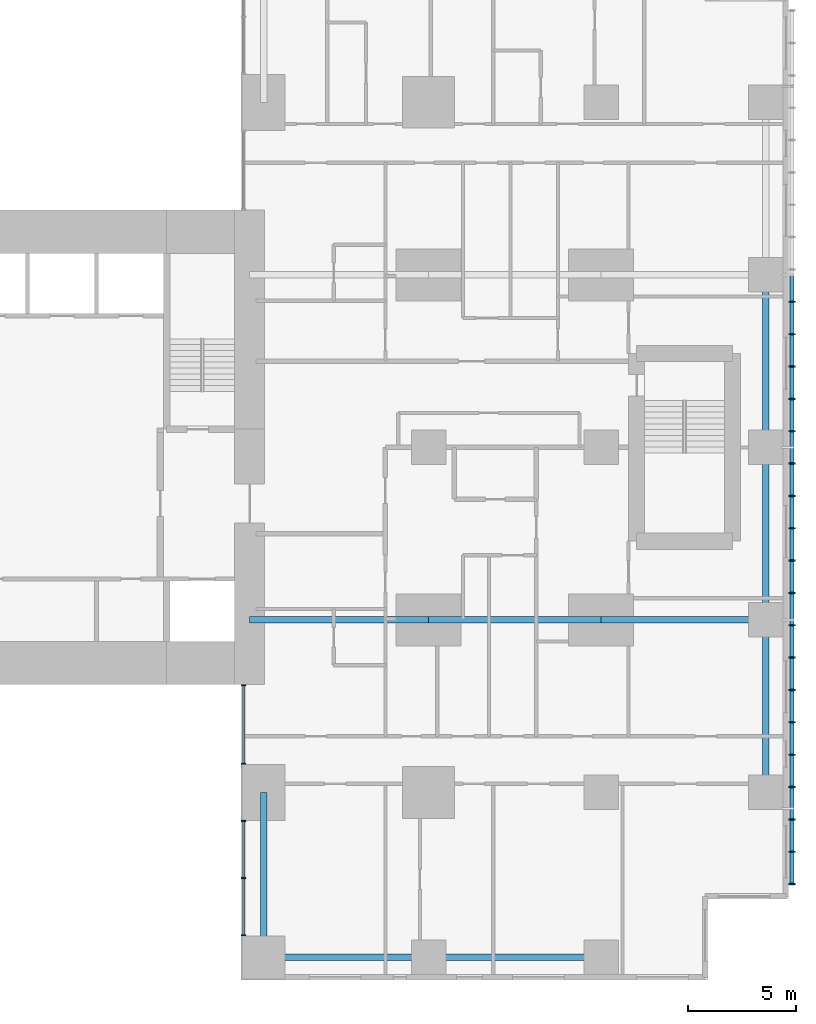
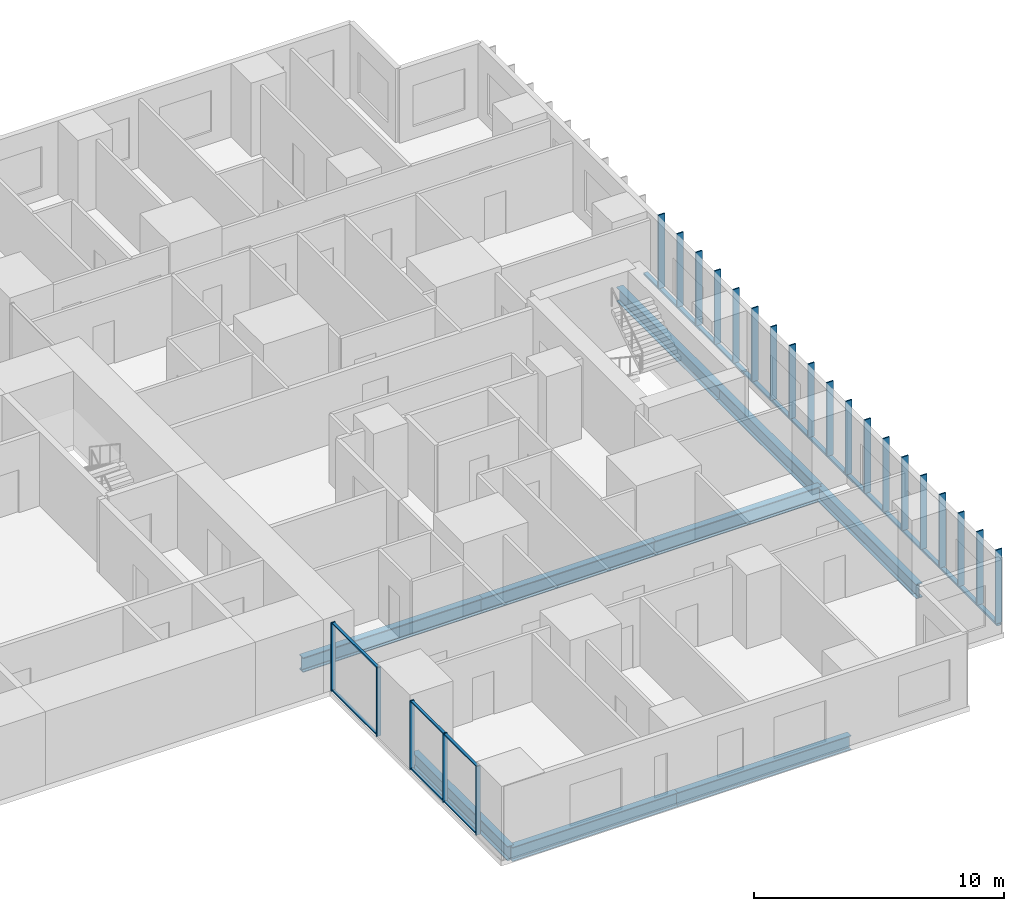
# One storey, part 2 of 12: 33 members, 9 beams, 2 elements without a shape of their own.
"""IFC4 building model written with IfcOpenShell, lengths in metres."""

from ifc_helpers import new_model, si_unit, direction, frame, origin, origin_2d, place, context, subcontext, project, spatial, rectangle, hollow_rectangle, i_section, extrude, material, layer, layer_set, material_profile, profile_set, type_object, element, aggregate, save


model = new_model("IFC4")

# Units and contexts
model_context = context("Model", 3, precision=1e-05, world=origin(), true_north=direction((0.0, 1.0)))
body_context = subcontext(model_context, "Body", "Model", "MODEL_VIEW")
ifc_project = project(units=[si_unit("LENGTHUNIT", "METRE"), si_unit("AREAUNIT", "SQUARE_METRE"), si_unit("VOLUMEUNIT", "CUBIC_METRE"), si_unit("PLANEANGLEUNIT", "RADIAN"), si_unit("MASSUNIT", "GRAM", prefix="KILO")], contexts=[model_context])

# Site, building, storey
site_placement = place(None, origin())
site = spatial("IfcSite", under=ifc_project, at=site_placement, CompositionType="ELEMENT")
building_placement = place(site_placement, origin())
building = spatial("IfcBuilding", under=site, at=building_placement, Name="Cleftline Residences", CompositionType="ELEMENT")
storey_placement = place(building_placement, frame((0.0, 0.0, 241.199951171875)))
storey = spatial("IfcBuildingStorey", under=building, at=storey_placement, Name="L63", CompositionType="ELEMENT", Elevation=241.199951171875)

# Members
ifc_material_1 = material(Name="Steel S355, hot-dip galvanised", Category="steel")
ifc_material_profile_1 = material_profile(ifc_material_1, hollow_rectangle(XDim=0.10009765625, YDim=0.199951171875, WallThickness=0.008056640625, InnerFilletRadius=0.008056640625, OuterFilletRadius=0.011962890625, at=origin_2d()))
ifc_profile_set_1 = profile_set([ifc_material_profile_1], Name="Steel S355, hot-dip galvanised")
member_type_1 = type_object("IfcMemberType", Name="BAGUETTE CARRIER RHS 200X100X8", PredefinedType="USERDEFINED", material=ifc_profile_set_1)
member_1_placement = place(storey_placement, frame((66.85009765625, 3.699951171875, -0.050048828125), z_axis=(0.0, 1.0, 0.0), x_axis=(0.0, 0.0, 1.0)))
element("IfcMember", 1, at=member_1_placement, inside=storey, type_object=member_type_1, Name="Baguette carrier", ObjectType="BAGUETTE CARRIER", PredefinedType="USERDEFINED", context=body_context, shape_type="SweptSolid", body=[
    extrude(hollow_rectangle(XDim=0.10009765625, YDim=0.199951171875, WallThickness=0.008056640625, InnerFilletRadius=0.008056640625, OuterFilletRadius=0.011962890625, at=origin_2d()), origin(), (0.0, 0.0, 1.0), 12.300048828125),
])
for number, where, z_axis, x_axis, name in (
    (2, (66.85009765625, 16.0, -0.050048828125), (0.0, 1.0, 0.0), (0.0, 0.0, 1.0), "Baguette carrier"),
    (3, (66.85009765625, 24.0, -0.050048828125), (0.0, 1.0, 0.0), (0.0, 0.0, 1.0), "Baguette carrier"),
):
    element("IfcMember", number, at=place(storey_placement, frame(where, z_axis=z_axis, x_axis=x_axis)), inside=storey, type_object=member_type_1, Name=name, ObjectType="BAGUETTE CARRIER", PredefinedType="USERDEFINED", context=body_context, shape_type="SweptSolid", body=[
        extrude(hollow_rectangle(XDim=0.10009765625, YDim=0.199951171875, WallThickness=0.008056640625, InnerFilletRadius=0.008056640625, OuterFilletRadius=0.011962890625, at=origin_2d()), origin(), (0.0, 0.0, 1.0), 8.0),
    ])

# Beams
ifc_material_2 = material(Name="Steel S355", Category="steel")
ifc_material_profile_2 = material_profile(ifc_material_2, i_section(OverallWidth=0.300048828125, OverallDepth=0.699951171875, WebThickness=0.01708984375, FlangeThickness=0.031982421875, FilletRadius=0.027099609375, at=origin_2d()))
ifc_profile_set_2 = profile_set([ifc_material_profile_2], Name="Steel S355")
beam_type_1 = type_object("IfcBeamType", Name="BEAM HEB 700", PredefinedType="BEAM", material=ifc_profile_set_2)
for number, where, z_axis, x_axis, name in (
    (4, (65.64990234375, 8.0, -0.599853515625), (0.0, 1.0, 0.0), (-1.0, 0.0, 0.0), "Edge beam"),
    (5, (65.64990234375, 16.0, -0.599853515625), (0.0, 1.0, 0.0), (-1.0, 0.0, 0.0), "Edge beam"),
    (6, (65.64990234375, 24.0, -0.599853515625), (0.0, 1.0, 0.0), (-1.0, 0.0, 0.0), "Edge beam"),
    (7, (58.0, 0.35009765625, -0.599853515625), (-1.0, 0.0, 0.0), (0.0, -1.0, 0.0), "Edge beam"),
):
    element("IfcBeam", number, at=place(storey_placement, frame(where, z_axis=z_axis, x_axis=x_axis)), inside=storey, type_object=beam_type_1, Name=name, PredefinedType="BEAM", context=body_context, shape_type="SweptSolid", body=[
        extrude(i_section(OverallWidth=0.300048828125, OverallDepth=0.699951171875, WebThickness=0.01708984375, FlangeThickness=0.031982421875, FilletRadius=0.027099609375, at=origin_2d()), origin(), (0.0, 0.0, 1.0), 8.0),
    ])
for number, where, z_axis, x_axis, name in (
    (8, (50.0, 0.35009765625, -0.599853515625), (-1.0, 0.0, 0.0), (0.0, -1.0, 0.0), "Edge beam"),
    (9, (42.35009765625, 0.35009765625, -0.599853515625), (0.0, 1.0, 0.0), (-1.0, 0.0, 0.0), "Edge beam"),
):
    element("IfcBeam", number, at=place(storey_placement, frame(where, z_axis=z_axis, x_axis=x_axis)), inside=storey, type_object=beam_type_1, Name=name, PredefinedType="BEAM", context=body_context, shape_type="SweptSolid", body=[
        extrude(i_section(OverallWidth=0.300048828125, OverallDepth=0.699951171875, WebThickness=0.01708984375, FlangeThickness=0.031982421875, FilletRadius=0.027099609375, at=origin_2d()), origin(), (0.0, 0.0, 1.0), 7.64990234375),
    ])
ifc_material_3 = material(Name="Steel S355", Category="steel")
ifc_material_profile_3 = material_profile(ifc_material_3, i_section(OverallWidth=0.303955078125, OverallDepth=0.716064453125, WebThickness=0.02099609375, FlangeThickness=0.0400390625, FilletRadius=0.027099609375, at=origin_2d()))
ifc_profile_set_3 = profile_set([ifc_material_profile_3], Name="Steel S355")
beam_type_2 = type_object("IfcBeamType", Name="BEAM HEM 700", PredefinedType="BEAM", material=ifc_profile_set_3)
beam_1_placement = place(storey_placement, frame((65.64990234375, 16.0, -0.60791015625), z_axis=(-1.0, 0.0, 0.0), x_axis=(0.0, -1.0, 0.0)))
element("IfcBeam", 10, at=beam_1_placement, inside=storey, type_object=beam_type_2, Name="Band beam", PredefinedType="BEAM", context=body_context, shape_type="SweptSolid", body=[
    extrude(i_section(OverallWidth=0.303955078125, OverallDepth=0.716064453125, WebThickness=0.02099609375, FlangeThickness=0.0400390625, FilletRadius=0.027099609375, at=origin_2d()), origin(), (0.0, 0.0, 1.0), 7.64990234375),
])
beam_2_placement = place(storey_placement, frame((58.0, 16.0, -0.60791015625), z_axis=(-1.0, 0.0, 0.0), x_axis=(0.0, -1.0, 0.0)))
element("IfcBeam", 11, at=beam_2_placement, inside=storey, type_object=beam_type_2, Name="Band beam", PredefinedType="BEAM", context=body_context, shape_type="SweptSolid", body=[
    extrude(i_section(OverallWidth=0.303955078125, OverallDepth=0.716064453125, WebThickness=0.02099609375, FlangeThickness=0.0400390625, FilletRadius=0.027099609375, at=origin_2d()), origin(), (0.0, 0.0, 1.0), 8.0),
])
beam_3_placement = place(storey_placement, frame((50.0, 16.0, -0.60791015625), z_axis=(-1.0, 0.0, 0.0), x_axis=(0.0, -1.0, 0.0)))
element("IfcBeam", 12, at=beam_3_placement, inside=storey, type_object=beam_type_2, Name="Band beam", PredefinedType="BEAM", context=body_context, shape_type="SweptSolid", body=[
    extrude(i_section(OverallWidth=0.303955078125, OverallDepth=0.716064453125, WebThickness=0.02099609375, FlangeThickness=0.0400390625, FilletRadius=0.027099609375, at=origin_2d()), origin(), (0.0, 0.0, 1.0), 8.300048828125),
])

# Curtain wall, members
ifc_material_4 = material(Name="Aluminium framed curtain wall", Category="aluminium")
ifc_layer = layer(ifc_material_4, 0.199951171875)
ifc_layer_set = layer_set([ifc_layer], Name="CW1 CLEFT GLAZING")
curtain_wall_type = type_object("IfcCurtainWallType", Name="CW1 CLEFT GLAZING", PredefinedType="NOTDEFINED", material=ifc_layer_set)
curtain_wall_1_placement = place(storey_placement, origin())
curtain_wall_1 = element("IfcCurtainWall", 13, at=curtain_wall_1_placement, inside=storey, type_object=curtain_wall_type, Name="Curtain wall CW1", PredefinedType="NOTDEFINED")
ifc_material_5 = material(Name="Aluminium mullion", Category="aluminium")
ifc_material_profile_4 = material_profile(ifc_material_5, rectangle(XDim=0.199951171875, YDim=0.06005859375, at=origin_2d()))
ifc_profile_set_4 = profile_set([ifc_material_profile_4], Name="Aluminium mullion")
member_type_2 = type_object("IfcMemberType", Name="CW1 MULLION", PredefinedType="MULLION", material=ifc_profile_set_4)
member_2_placement = place(storey_placement, frame((41.425048828125, 12.969970703125, 0.0), z_axis=(0.0, 0.0, 1.0), x_axis=(1.0, 0.0, 0.0)))
member_2 = element("IfcMember", 14, at=member_2_placement, type_object=member_type_2, Name="CW1 mullion 1", PredefinedType="MULLION", context=body_context, shape_type="SweptSolid", body=[
    extrude(rectangle(XDim=0.199951171875, YDim=0.06005859375, at=origin_2d()), origin(), (0.0, 0.0, 1.0), 3.35009765625),
])
member_3_placement = place(storey_placement, frame((41.425048828125, 9.330078125, 0.0), z_axis=(0.0, 0.0, 1.0), x_axis=(1.0, 0.0, 0.0)))
member_3 = element("IfcMember", 15, at=member_3_placement, type_object=member_type_2, Name="CW1 mullion 2", PredefinedType="MULLION", context=body_context, shape_type="SweptSolid", body=[
    extrude(rectangle(XDim=0.199951171875, YDim=0.06005859375, at=origin_2d()), origin(), (0.0, 0.0, 1.0), 3.35009765625),
])

curtain_wall_2_placement = place(storey_placement, origin())
curtain_wall_2 = element("IfcCurtainWall", 16, at=curtain_wall_2_placement, inside=storey, type_object=curtain_wall_type, Name="Curtain wall CW1", PredefinedType="NOTDEFINED")
member_4_placement = place(storey_placement, frame((41.425048828125, 6.669921875, 0.0), z_axis=(0.0, 0.0, 1.0), x_axis=(1.0, 0.0, 0.0)))
member_4 = element("IfcMember", 17, at=member_4_placement, type_object=member_type_2, Name="CW1 mullion 1", PredefinedType="MULLION", context=body_context, shape_type="SweptSolid", body=[
    extrude(rectangle(XDim=0.199951171875, YDim=0.06005859375, at=origin_2d()), origin(), (0.0, 0.0, 1.0), 3.35009765625),
])
member_5_placement = place(storey_placement, frame((41.425048828125, 4.02490234375, 0.0), z_axis=(0.0, 0.0, 1.0), x_axis=(1.0, 0.0, 0.0)))
member_5 = element("IfcMember", 18, at=member_5_placement, type_object=member_type_2, Name="CW1 mullion 2", PredefinedType="MULLION", context=body_context, shape_type="SweptSolid", body=[
    extrude(rectangle(XDim=0.199951171875, YDim=0.06005859375, at=origin_2d()), origin(), (0.0, 0.0, 1.0), 3.35009765625),
])
member_6_placement = place(storey_placement, frame((41.425048828125, 1.3798828125, 0.0), z_axis=(0.0, 0.0, 1.0), x_axis=(1.0, 0.0, 0.0)))
member_6 = element("IfcMember", 19, at=member_6_placement, type_object=member_type_2, Name="CW1 mullion 3", PredefinedType="MULLION", context=body_context, shape_type="SweptSolid", body=[
    extrude(rectangle(XDim=0.199951171875, YDim=0.06005859375, at=origin_2d()), origin(), (0.0, 0.0, 1.0), 3.35009765625),
])

# Member
ifc_material_6 = material(Name="Aluminium transom", Category="aluminium")
ifc_material_profile_5 = material_profile(ifc_material_6, rectangle(XDim=0.1201171875, YDim=0.06005859375, at=origin_2d()))
ifc_profile_set_5 = profile_set([ifc_material_profile_5], Name="Aluminium transom")
member_type_3 = type_object("IfcMemberType", Name="CW1 TRANSOM", PredefinedType="USERDEFINED", material=ifc_profile_set_5)
member_7_placement = place(storey_placement, frame((41.425048828125, 12.93994140625, 0.030029296875), z_axis=(0.0, -1.0, 0.0), x_axis=(1.0, 0.0, 0.0)))
member_7 = element("IfcMember", 20, at=member_7_placement, type_object=member_type_3, Name="CW1 transom 1.1", ObjectType="TRANSOM", PredefinedType="USERDEFINED", context=body_context, shape_type="SweptSolid", body=[
    extrude(rectangle(XDim=0.1201171875, YDim=0.06005859375, at=origin_2d()), origin(), (0.0, 0.0, 1.0), 3.579833984375),
])

member_8_placement = place(storey_placement, frame((41.425048828125, 12.93994140625, 3.320068359375), z_axis=(0.0, -1.0, 0.0), x_axis=(1.0, 0.0, 0.0)))
member_8 = element("IfcMember", 21, at=member_8_placement, type_object=member_type_3, Name="CW1 transom 1.2", ObjectType="TRANSOM", PredefinedType="USERDEFINED", context=body_context, shape_type="SweptSolid", body=[
    extrude(rectangle(XDim=0.1201171875, YDim=0.06005859375, at=origin_2d()), origin(), (0.0, 0.0, 1.0), 3.579833984375),
])

aggregate(curtain_wall_1, [member_2, member_3, member_7, member_8])

member_9_placement = place(storey_placement, frame((41.425048828125, 6.639892578125, 0.030029296875), z_axis=(0.0, -1.0, 0.0), x_axis=(1.0, 0.0, 0.0)))
member_9 = element("IfcMember", 22, at=member_9_placement, type_object=member_type_3, Name="CW1 transom 1.1", ObjectType="TRANSOM", PredefinedType="USERDEFINED", context=body_context, shape_type="SweptSolid", body=[
    extrude(rectangle(XDim=0.1201171875, YDim=0.06005859375, at=origin_2d()), origin(), (0.0, 0.0, 1.0), 2.5849609375),
])

member_10_placement = place(storey_placement, frame((41.425048828125, 6.639892578125, 3.320068359375), z_axis=(0.0, -1.0, 0.0), x_axis=(1.0, 0.0, 0.0)))
member_10 = element("IfcMember", 23, at=member_10_placement, type_object=member_type_3, Name="CW1 transom 1.2", ObjectType="TRANSOM", PredefinedType="USERDEFINED", context=body_context, shape_type="SweptSolid", body=[
    extrude(rectangle(XDim=0.1201171875, YDim=0.06005859375, at=origin_2d()), origin(), (0.0, 0.0, 1.0), 2.5849609375),
])

member_11_placement = place(storey_placement, frame((41.425048828125, 3.9951171875, 0.030029296875), z_axis=(0.0, -1.0, 0.0), x_axis=(1.0, 0.0, 0.0)))
member_11 = element("IfcMember", 24, at=member_11_placement, type_object=member_type_3, Name="CW1 transom 2.1", ObjectType="TRANSOM", PredefinedType="USERDEFINED", context=body_context, shape_type="SweptSolid", body=[
    extrude(rectangle(XDim=0.1201171875, YDim=0.06005859375, at=origin_2d()), origin(), (0.0, 0.0, 1.0), 2.585205078125),
])

member_12_placement = place(storey_placement, frame((41.425048828125, 3.9951171875, 3.320068359375), z_axis=(0.0, -1.0, 0.0), x_axis=(1.0, 0.0, 0.0)))
member_12 = element("IfcMember", 25, at=member_12_placement, type_object=member_type_3, Name="CW1 transom 2.2", ObjectType="TRANSOM", PredefinedType="USERDEFINED", context=body_context, shape_type="SweptSolid", body=[
    extrude(rectangle(XDim=0.1201171875, YDim=0.06005859375, at=origin_2d()), origin(), (0.0, 0.0, 1.0), 2.585205078125),
])

aggregate(curtain_wall_2, [member_4, member_5, member_6, member_9, member_10, member_11, member_12])

# Members
ifc_material_7 = material(Name="Extruded terracotta", Category="masonry")
ifc_material_profile_6 = material_profile(ifc_material_7, rectangle(XDim=0.06005859375, YDim=0.300048828125, at=origin_2d()))
ifc_profile_set_6 = profile_set([ifc_material_profile_6], Name="Extruded terracotta")
member_type_4 = type_object("IfcMemberType", Name="TERRACOTTA BAGUETTE 60X300", PredefinedType="USERDEFINED", material=ifc_profile_set_6)
for number, where, z_axis, x_axis, name in (
    (26, (66.85009765625, 3.75, 0.0), (0.0, 0.0, 1.0), (0.0, 1.0, 0.0), "Terracotta baguette"),
    (27, (66.85009765625, 5.25, 0.0), (0.0, 0.0, 1.0), (0.0, 1.0, 0.0), "Terracotta baguette"),
    (28, (66.85009765625, 6.75, 0.0), (0.0, 0.0, 1.0), (0.0, 1.0, 0.0), "Terracotta baguette"),
    (29, (66.85009765625, 8.25, 0.0), (0.0, 0.0, 1.0), (0.0, 1.0, 0.0), "Terracotta baguette"),
    (30, (66.85009765625, 9.75, 0.0), (0.0, 0.0, 1.0), (0.0, 1.0, 0.0), "Terracotta baguette"),
    (31, (66.85009765625, 11.25, 0.0), (0.0, 0.0, 1.0), (0.0, 1.0, 0.0), "Terracotta baguette"),
    (32, (66.85009765625, 12.75, 0.0), (0.0, 0.0, 1.0), (0.0, 1.0, 0.0), "Terracotta baguette"),
    (33, (66.85009765625, 14.25, 0.0), (0.0, 0.0, 1.0), (0.0, 1.0, 0.0), "Terracotta baguette"),
    (34, (66.85009765625, 15.75, 0.0), (0.0, 0.0, 1.0), (0.0, 1.0, 0.0), "Terracotta baguette"),
    (35, (66.85009765625, 17.25, 0.0), (0.0, 0.0, 1.0), (0.0, 1.0, 0.0), "Terracotta baguette"),
    (36, (66.85009765625, 18.75, 0.0), (0.0, 0.0, 1.0), (0.0, 1.0, 0.0), "Terracotta baguette"),
    (37, (66.85009765625, 20.25, 0.0), (0.0, 0.0, 1.0), (0.0, 1.0, 0.0), "Terracotta baguette"),
    (38, (66.85009765625, 21.75, 0.0), (0.0, 0.0, 1.0), (0.0, 1.0, 0.0), "Terracotta baguette"),
    (39, (66.85009765625, 23.25, 0.0), (0.0, 0.0, 1.0), (0.0, 1.0, 0.0), "Terracotta baguette"),
    (40, (66.85009765625, 24.75, 0.0), (0.0, 0.0, 1.0), (0.0, 1.0, 0.0), "Terracotta baguette"),
    (41, (66.85009765625, 26.25, 0.0), (0.0, 0.0, 1.0), (0.0, 1.0, 0.0), "Terracotta baguette"),
    (42, (66.85009765625, 27.75, 0.0), (0.0, 0.0, 1.0), (0.0, 1.0, 0.0), "Terracotta baguette"),
    (43, (66.85009765625, 29.25, 0.0), (0.0, 0.0, 1.0), (0.0, 1.0, 0.0), "Terracotta baguette"),
    (44, (66.85009765625, 30.75, 0.0), (0.0, 0.0, 1.0), (0.0, 1.0, 0.0), "Terracotta baguette"),
):
    element("IfcMember", number, at=place(storey_placement, frame(where, z_axis=z_axis, x_axis=x_axis)), inside=storey, type_object=member_type_4, Name=name, ObjectType="BAGUETTE", PredefinedType="USERDEFINED", context=body_context, shape_type="SweptSolid", body=[
        extrude(rectangle(XDim=0.06005859375, YDim=0.300048828125, at=origin_2d()), origin(), (0.0, 0.0, 1.0), 3.60009765625),
    ])

save(model, "model.ifc")
